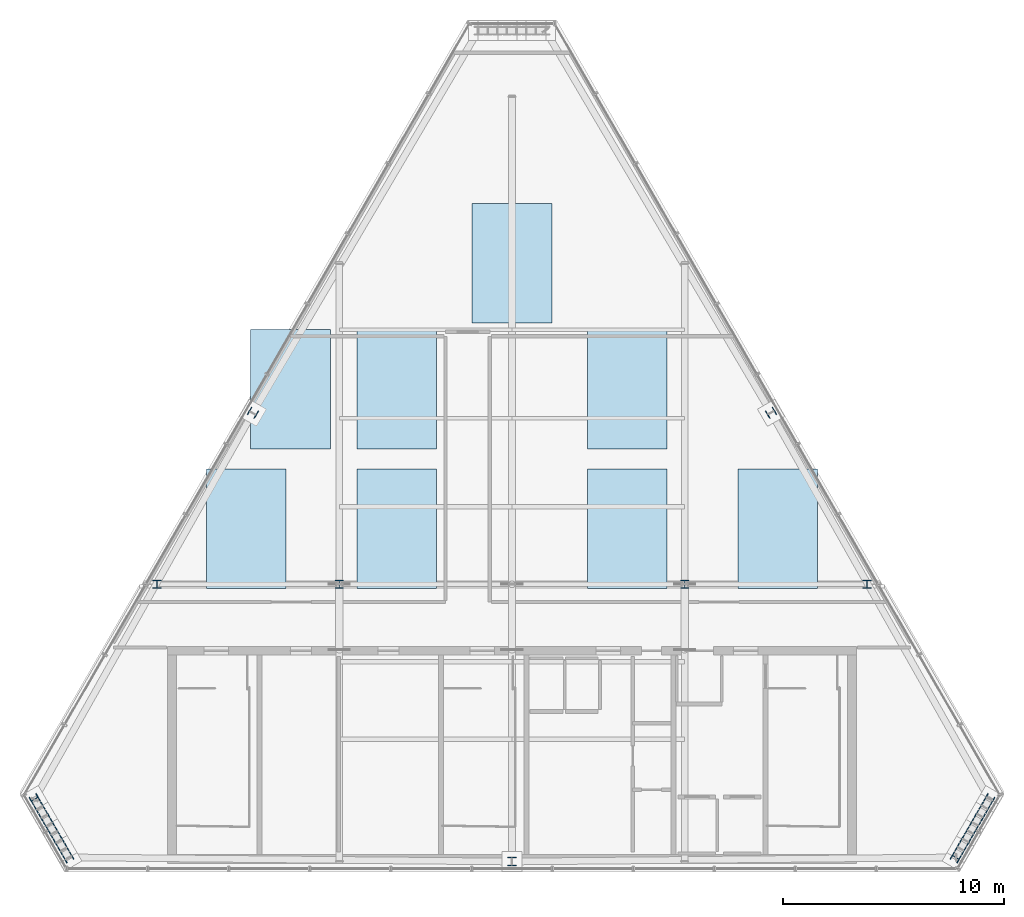
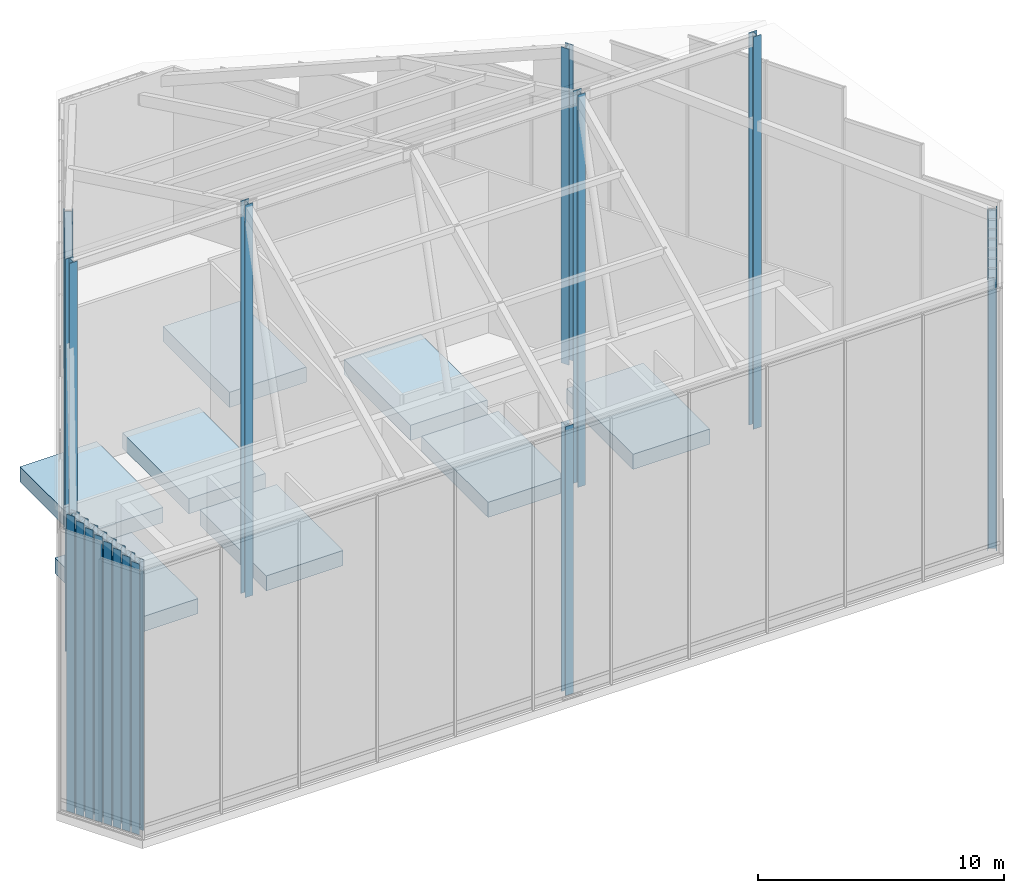
# One storey, part 1 of 36: 23 columns, 8 footings.
"""IFC4 building model written with IfcOpenShell, lengths in metres."""

from ifc_helpers import new_model, si_unit, direction, frame, origin, origin_2d, place, context, subcontext, project, spatial, rectangle, i_section, extrude, material, material_profile, profile_set, type_object, element, save


model = new_model("IFC4")

# Units and contexts
model_context = context("Model", 3, precision=1e-05, world=origin(), true_north=direction((0.0, 1.0)))
body_context = subcontext(model_context, "Body", "Model", "MODEL_VIEW")
ifc_project = project(units=[si_unit("LENGTHUNIT", "METRE"), si_unit("AREAUNIT", "SQUARE_METRE"), si_unit("VOLUMEUNIT", "CUBIC_METRE"), si_unit("PLANEANGLEUNIT", "RADIAN"), si_unit("MASSUNIT", "GRAM", prefix="KILO")], contexts=[model_context])

# Site, building, storey
site_placement = place(None, origin())
site = spatial("IfcSite", under=ifc_project, at=site_placement, CompositionType="ELEMENT")
building_placement = place(site_placement, origin())
building = spatial("IfcBuilding", under=site, at=building_placement, Name="Ndaravel Arena Tower", CompositionType="ELEMENT")
storey_placement = place(building_placement, frame((0.0, 0.0, 308.10009765625)))
storey = spatial("IfcBuildingStorey", under=building, at=storey_placement, Name="Roof Crown", CompositionType="ELEMENT", Elevation=308.10009765625)

# Footings
ifc_material_1 = material(Name="Concrete C40/50", Category="concrete")
footing_type = type_object("IfcFootingType", Name="FTG-PAD2", PredefinedType="PAD_FOOTING", material=ifc_material_1)
for number, where, z_axis, x_axis, name in (
    (1, (30.0, 20.5, 0.0), (0.0, 0.0, 1.0), (1.0, 0.0, 0.0), "Crown Chiller & AHU Plinth Pad CPP-01"),
    (2, (36.800048828125, 20.5, 0.0), (0.0, 0.0, 1.0), (1.0, 0.0, 0.0), "Crown Chiller & AHU Plinth Pad CPP-02"),
    (3, (47.199951171875, 20.5, 0.0), (0.0, 0.0, 1.0), (1.0, 0.0, 0.0), "Crown Chiller & AHU Plinth Pad CPP-03"),
    (4, (54.0, 20.5, 0.0), (0.0, 0.0, 1.0), (1.0, 0.0, 0.0), "Crown Chiller & AHU Plinth Pad CPP-04"),
    (5, (32.0, 26.800048828125, 0.0), (0.0, 0.0, 1.0), (1.0, 0.0, 0.0), "Crown Chiller & AHU Plinth Pad CPP-05"),
    (6, (36.800048828125, 26.800048828125, 0.0), (0.0, 0.0, 1.0), (1.0, 0.0, 0.0), "Crown Chiller & AHU Plinth Pad CPP-06"),
    (7, (47.199951171875, 26.800048828125, 0.0), (0.0, 0.0, 1.0), (1.0, 0.0, 0.0), "Crown Chiller & AHU Plinth Pad CPP-07"),
    (8, (42.0, 32.5, 0.0), (0.0, 0.0, 1.0), (1.0, 0.0, 0.0), "Crown Chiller & AHU Plinth Pad CPP-08"),
):
    element("IfcFooting", number, at=place(storey_placement, frame(where, z_axis=z_axis, x_axis=x_axis)), inside=storey, type_object=footing_type, Name=name, PredefinedType="PAD_FOOTING", context=body_context, shape_type="SweptSolid", body=[
        extrude(rectangle(XDim=3.60009765625, YDim=5.39990234375, at=origin_2d()), origin(), (0.0, 0.0, 1.0), 0.75),
    ])

# Columns
ifc_material_2 = material(Name="Steel S355", Category="steel")
ifc_material_profile = material_profile(ifc_material_2, i_section(OverallWidth=0.374755859375, OverallDepth=0.37451171875, WebThickness=0.0166015625, FlangeThickness=0.027099609375, FilletRadius=0.01513671875, at=origin_2d()), Name="UC 356x368x202")
ifc_profile_set = profile_set([ifc_material_profile], Name="Steel S355")
column_type = type_object("IfcColumnType", Name="COL-CRN-UC202", PredefinedType="COLUMN", material=ifc_profile_set)
column_1_placement = place(storey_placement, frame((42.0, 5.47998046875, 0.0), z_axis=(0.0, 0.0, 1.0), x_axis=(1.0, 0.0, 0.0)))
element("IfcColumn", 9, at=column_1_placement, inside=storey, type_object=column_type, Name="Roof Crown Perimeter Column CC-01", PredefinedType="COLUMN", context=body_context, shape_type="SweptSolid", body=[
    extrude(i_section(OverallWidth=0.374755859375, OverallDepth=0.37451171875, WebThickness=0.0166015625, FlangeThickness=0.027099609375, FilletRadius=0.01513671875, at=origin_2d()), origin(), (0.0, 0.0, 1.0), 13.343994140625),
])
column_2_placement = place(storey_placement, frame((62.038818359375, 5.667724609375, 0.0), z_axis=(0.0, 0.0, 1.0), x_axis=(0.5, 0.866025403784, 0.0)))
element("IfcColumn", 10, at=column_2_placement, inside=storey, type_object=column_type, Name="Roof Crown Perimeter Column CC-02", PredefinedType="COLUMN", context=body_context, shape_type="SweptSolid", body=[
    extrude(i_section(OverallWidth=0.374755859375, OverallDepth=0.37451171875, WebThickness=0.0166015625, FlangeThickness=0.027099609375, FilletRadius=0.01513671875, at=origin_2d()), origin(), (0.0, 0.0, 1.0), 13.435791015625),
])
column_3_placement = place(storey_placement, frame((62.255615234375, 6.04345703125, 0.0), z_axis=(0.0, 0.0, 1.0), x_axis=(0.5, 0.866025403784, 0.0)))
element("IfcColumn", 11, at=column_3_placement, inside=storey, type_object=column_type, Name="Roof Crown Perimeter Column CC-03", PredefinedType="COLUMN", context=body_context, shape_type="SweptSolid", body=[
    extrude(i_section(OverallWidth=0.374755859375, OverallDepth=0.37451171875, WebThickness=0.0166015625, FlangeThickness=0.027099609375, FilletRadius=0.01513671875, at=origin_2d()), origin(), (0.0, 0.0, 1.0), 13.618896484375),
])
column_4_placement = place(storey_placement, frame((62.472412109375, 6.419189453125, 0.0), z_axis=(0.0, 0.0, 1.0), x_axis=(0.5, 0.866025403784, 0.0)))
element("IfcColumn", 12, at=column_4_placement, inside=storey, type_object=column_type, Name="Roof Crown Perimeter Column CC-04", PredefinedType="COLUMN", context=body_context, shape_type="SweptSolid", body=[
    extrude(i_section(OverallWidth=0.374755859375, OverallDepth=0.37451171875, WebThickness=0.0166015625, FlangeThickness=0.027099609375, FilletRadius=0.01513671875, at=origin_2d()), origin(), (0.0, 0.0, 1.0), 13.802001953125),
])
column_5_placement = place(storey_placement, frame((62.689453125, 6.794921875, 0.0), z_axis=(0.0, 0.0, 1.0), x_axis=(0.5, 0.866025403784, 0.0)))
element("IfcColumn", 13, at=column_5_placement, inside=storey, type_object=column_type, Name="Roof Crown Perimeter Column CC-05", PredefinedType="COLUMN", context=body_context, shape_type="SweptSolid", body=[
    extrude(i_section(OverallWidth=0.374755859375, OverallDepth=0.37451171875, WebThickness=0.0166015625, FlangeThickness=0.027099609375, FilletRadius=0.01513671875, at=origin_2d()), origin(), (0.0, 0.0, 1.0), 13.9853515625),
])
column_6_placement = place(storey_placement, frame((62.90625, 7.17041015625, 0.0), z_axis=(0.0, 0.0, 1.0), x_axis=(0.5, 0.866025403784, 0.0)))
element("IfcColumn", 14, at=column_6_placement, inside=storey, type_object=column_type, Name="Roof Crown Perimeter Column CC-06", PredefinedType="COLUMN", context=body_context, shape_type="SweptSolid", body=[
    extrude(i_section(OverallWidth=0.374755859375, OverallDepth=0.37451171875, WebThickness=0.0166015625, FlangeThickness=0.027099609375, FilletRadius=0.01513671875, at=origin_2d()), origin(), (0.0, 0.0, 1.0), 14.16845703125),
])
column_7_placement = place(storey_placement, frame((63.123046875, 7.546142578125, 0.0), z_axis=(0.0, 0.0, 1.0), x_axis=(0.5, 0.866025403784, 0.0)))
element("IfcColumn", 15, at=column_7_placement, inside=storey, type_object=column_type, Name="Roof Crown Perimeter Column CC-07", PredefinedType="COLUMN", context=body_context, shape_type="SweptSolid", body=[
    extrude(i_section(OverallWidth=0.374755859375, OverallDepth=0.37451171875, WebThickness=0.0166015625, FlangeThickness=0.027099609375, FilletRadius=0.01513671875, at=origin_2d()), origin(), (0.0, 0.0, 1.0), 14.351806640625),
])
column_8_placement = place(storey_placement, frame((63.340087890625, 7.921630859375, 0.0), z_axis=(0.0, 0.0, 1.0), x_axis=(0.5, 0.866025403784, 0.0)))
element("IfcColumn", 16, at=column_8_placement, inside=storey, type_object=column_type, Name="Roof Crown Perimeter Column CC-08", PredefinedType="COLUMN", context=body_context, shape_type="SweptSolid", body=[
    extrude(i_section(OverallWidth=0.374755859375, OverallDepth=0.37451171875, WebThickness=0.0166015625, FlangeThickness=0.027099609375, FilletRadius=0.01513671875, at=origin_2d()), origin(), (0.0, 0.0, 1.0), 14.534912109375),
])
column_9_placement = place(storey_placement, frame((63.556884765625, 8.29736328125, 0.0), z_axis=(0.0, 0.0, 1.0), x_axis=(0.5, 0.866025403784, 0.0)))
element("IfcColumn", 17, at=column_9_placement, inside=storey, type_object=column_type, Name="Roof Crown Perimeter Column CC-09", PredefinedType="COLUMN", context=body_context, shape_type="SweptSolid", body=[
    extrude(i_section(OverallWidth=0.374755859375, OverallDepth=0.37451171875, WebThickness=0.0166015625, FlangeThickness=0.027099609375, FilletRadius=0.01513671875, at=origin_2d()), origin(), (0.0, 0.0, 1.0), 14.71826171875),
])
for number, where, z_axis, x_axis, name in (
    (18, (53.7001953125, 25.745361328125, 0.0), (0.0, 0.0, 1.0), (-0.5, 0.866025403784, 0.0), "Roof Crown Perimeter Column CC-10"),
    (19, (30.2998046875, 25.745361328125, 0.0), (0.0, 0.0, 1.0), (0.5, 0.866025403784, 0.0), "Roof Crown Perimeter Column CC-19"),
):
    element("IfcColumn", number, at=place(storey_placement, frame(where, z_axis=z_axis, x_axis=x_axis)), inside=storey, type_object=column_type, Name=name, PredefinedType="COLUMN", context=body_context, shape_type="SweptSolid", body=[
        extrude(i_section(OverallWidth=0.374755859375, OverallDepth=0.37451171875, WebThickness=0.0166015625, FlangeThickness=0.027099609375, FilletRadius=0.01513671875, at=origin_2d()), origin(), (0.0, 0.0, 1.0), 15.6728515625),
    ])
column_10_placement = place(storey_placement, frame((20.443115234375, 8.29736328125, 0.0), z_axis=(0.0, 0.0, 1.0), x_axis=(-0.5, 0.866025403784, 0.0)))
element("IfcColumn", 20, at=column_10_placement, inside=storey, type_object=column_type, Name="Roof Crown Perimeter Column CC-20", PredefinedType="COLUMN", context=body_context, shape_type="SweptSolid", body=[
    extrude(i_section(OverallWidth=0.374755859375, OverallDepth=0.37451171875, WebThickness=0.0166015625, FlangeThickness=0.027099609375, FilletRadius=0.01513671875, at=origin_2d()), origin(), (0.0, 0.0, 1.0), 14.71826171875),
])
column_11_placement = place(storey_placement, frame((20.659912109375, 7.921630859375, 0.0), z_axis=(0.0, 0.0, 1.0), x_axis=(-0.5, 0.866025403784, 0.0)))
element("IfcColumn", 21, at=column_11_placement, inside=storey, type_object=column_type, Name="Roof Crown Perimeter Column CC-21", PredefinedType="COLUMN", context=body_context, shape_type="SweptSolid", body=[
    extrude(i_section(OverallWidth=0.374755859375, OverallDepth=0.37451171875, WebThickness=0.0166015625, FlangeThickness=0.027099609375, FilletRadius=0.01513671875, at=origin_2d()), origin(), (0.0, 0.0, 1.0), 14.534912109375),
])
column_12_placement = place(storey_placement, frame((20.876953125, 7.546142578125, 0.0), z_axis=(0.0, 0.0, 1.0), x_axis=(-0.5, 0.866025403784, 0.0)))
element("IfcColumn", 22, at=column_12_placement, inside=storey, type_object=column_type, Name="Roof Crown Perimeter Column CC-22", PredefinedType="COLUMN", context=body_context, shape_type="SweptSolid", body=[
    extrude(i_section(OverallWidth=0.374755859375, OverallDepth=0.37451171875, WebThickness=0.0166015625, FlangeThickness=0.027099609375, FilletRadius=0.01513671875, at=origin_2d()), origin(), (0.0, 0.0, 1.0), 14.351806640625),
])
column_13_placement = place(storey_placement, frame((21.09375, 7.17041015625, 0.0), z_axis=(0.0, 0.0, 1.0), x_axis=(-0.5, 0.866025403784, 0.0)))
element("IfcColumn", 23, at=column_13_placement, inside=storey, type_object=column_type, Name="Roof Crown Perimeter Column CC-23", PredefinedType="COLUMN", context=body_context, shape_type="SweptSolid", body=[
    extrude(i_section(OverallWidth=0.374755859375, OverallDepth=0.37451171875, WebThickness=0.0166015625, FlangeThickness=0.027099609375, FilletRadius=0.01513671875, at=origin_2d()), origin(), (0.0, 0.0, 1.0), 14.16845703125),
])
column_14_placement = place(storey_placement, frame((21.310546875, 6.794921875, 0.0), z_axis=(0.0, 0.0, 1.0), x_axis=(-0.5, 0.866025403784, 0.0)))
element("IfcColumn", 24, at=column_14_placement, inside=storey, type_object=column_type, Name="Roof Crown Perimeter Column CC-24", PredefinedType="COLUMN", context=body_context, shape_type="SweptSolid", body=[
    extrude(i_section(OverallWidth=0.374755859375, OverallDepth=0.37451171875, WebThickness=0.0166015625, FlangeThickness=0.027099609375, FilletRadius=0.01513671875, at=origin_2d()), origin(), (0.0, 0.0, 1.0), 13.9853515625),
])
column_15_placement = place(storey_placement, frame((21.527587890625, 6.419189453125, 0.0), z_axis=(0.0, 0.0, 1.0), x_axis=(-0.5, 0.866025403784, 0.0)))
element("IfcColumn", 25, at=column_15_placement, inside=storey, type_object=column_type, Name="Roof Crown Perimeter Column CC-25", PredefinedType="COLUMN", context=body_context, shape_type="SweptSolid", body=[
    extrude(i_section(OverallWidth=0.374755859375, OverallDepth=0.37451171875, WebThickness=0.0166015625, FlangeThickness=0.027099609375, FilletRadius=0.01513671875, at=origin_2d()), origin(), (0.0, 0.0, 1.0), 13.802001953125),
])
column_16_placement = place(storey_placement, frame((21.744384765625, 6.04345703125, 0.0), z_axis=(0.0, 0.0, 1.0), x_axis=(-0.5, 0.866025403784, 0.0)))
element("IfcColumn", 26, at=column_16_placement, inside=storey, type_object=column_type, Name="Roof Crown Perimeter Column CC-26", PredefinedType="COLUMN", context=body_context, shape_type="SweptSolid", body=[
    extrude(i_section(OverallWidth=0.374755859375, OverallDepth=0.37451171875, WebThickness=0.0166015625, FlangeThickness=0.027099609375, FilletRadius=0.01513671875, at=origin_2d()), origin(), (0.0, 0.0, 1.0), 13.618896484375),
])
column_17_placement = place(storey_placement, frame((21.961181640625, 5.667724609375, 0.0), z_axis=(0.0, 0.0, 1.0), x_axis=(-0.5, 0.866025403784, 0.0)))
element("IfcColumn", 27, at=column_17_placement, inside=storey, type_object=column_type, Name="Roof Crown Perimeter Column CC-27", PredefinedType="COLUMN", context=body_context, shape_type="SweptSolid", body=[
    extrude(i_section(OverallWidth=0.374755859375, OverallDepth=0.37451171875, WebThickness=0.0166015625, FlangeThickness=0.027099609375, FilletRadius=0.01513671875, at=origin_2d()), origin(), (0.0, 0.0, 1.0), 13.435791015625),
])
for number, where, z_axis, x_axis, name in (
    (28, (25.966552734375, 18.0, 0.0), (0.0, 0.0, 1.0), (1.0, 0.0, 0.0), "Crown Ridge Post CRP-01"),
    (29, (34.199951171875, 18.0, 0.0), (0.0, 0.0, 1.0), (1.0, 0.0, 0.0), "Crown Ridge Post CRP-02"),
    (30, (49.800048828125, 18.0, 0.0), (0.0, 0.0, 1.0), (1.0, 0.0, 0.0), "Crown Ridge Post CRP-03"),
    (31, (58.033447265625, 18.0, 0.0), (0.0, 0.0, 1.0), (1.0, 0.0, 0.0), "Crown Ridge Post CRP-04"),
):
    element("IfcColumn", number, at=place(storey_placement, frame(where, z_axis=z_axis, x_axis=x_axis)), inside=storey, type_object=column_type, Name=name, PredefinedType="COLUMN", context=body_context, shape_type="SweptSolid", body=[
        extrude(i_section(OverallWidth=0.374755859375, OverallDepth=0.37451171875, WebThickness=0.0166015625, FlangeThickness=0.027099609375, FilletRadius=0.01513671875, at=origin_2d()), origin(), (0.0, 0.0, 1.0), 19.46044921875),
    ])

save(model, "model.ifc")
